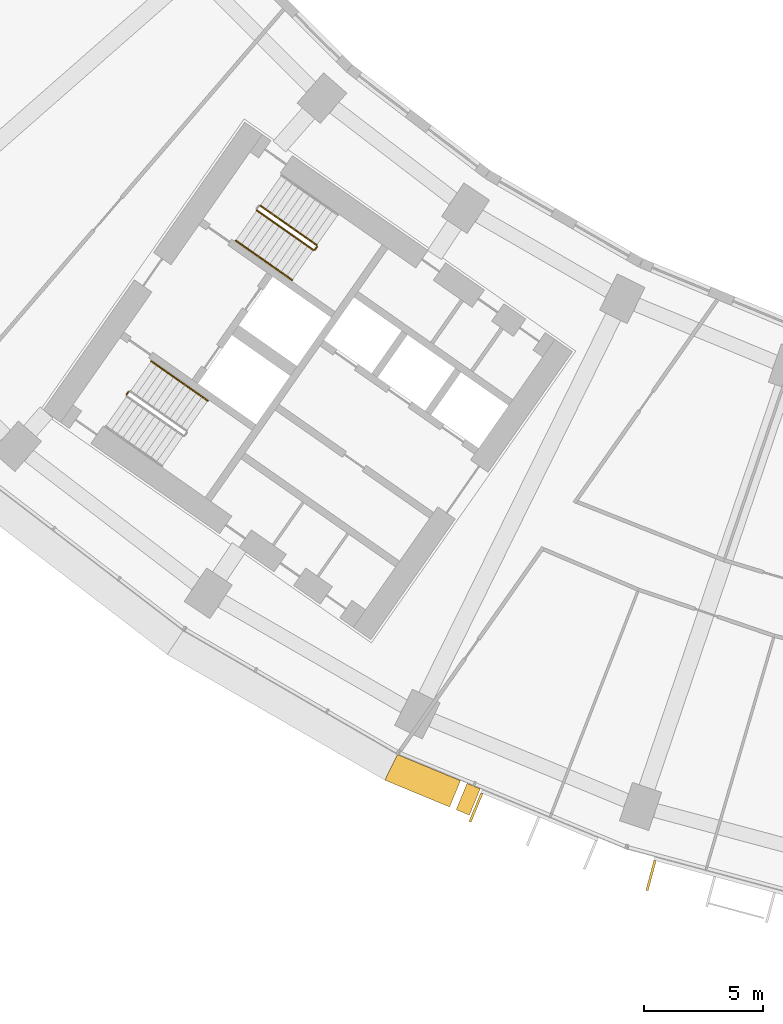
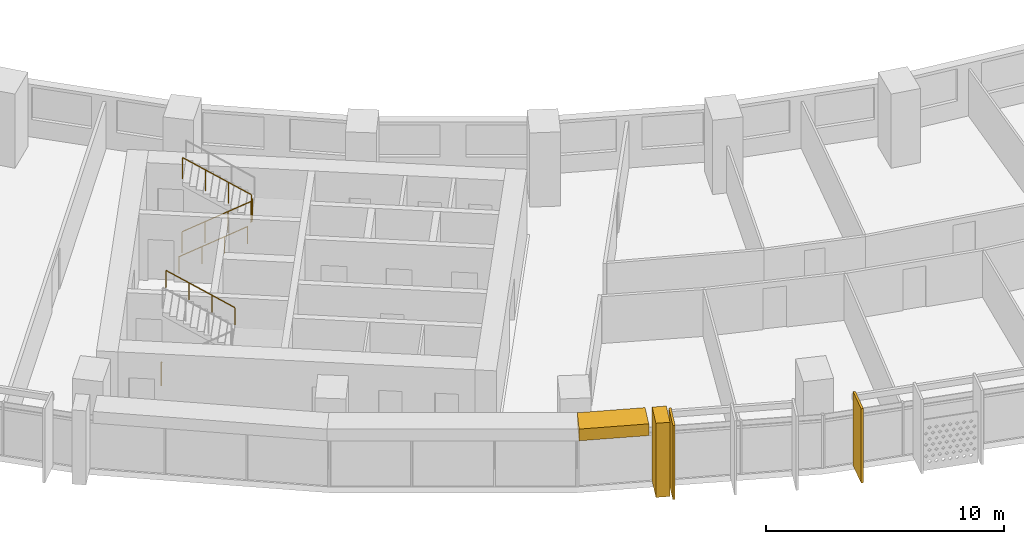
# One storey, part 25 of 31: 5 railings, 4 shading devices.
"""IFC4 building model written with IfcOpenShell, lengths in metres."""

from ifc_helpers import new_model, si_unit, direction, frame, origin, origin_2d, place, context, subcontext, project, spatial, polyline, rectangle, circle, outline, extrude, material, material_profile, profile_set, type_object, element, save


model = new_model("IFC4")

# Units and contexts
model_context = context("Model", 3, precision=1e-05, world=origin(), true_north=direction((0.0, 1.0)))
body_context = subcontext(model_context, "Body", "Model", "MODEL_VIEW")
ifc_project = project(units=[si_unit("LENGTHUNIT", "METRE"), si_unit("AREAUNIT", "SQUARE_METRE"), si_unit("VOLUMEUNIT", "CUBIC_METRE"), si_unit("PLANEANGLEUNIT", "RADIAN"), si_unit("MASSUNIT", "GRAM", prefix="KILO")], contexts=[model_context])

# Site, building, storey
site_placement = place(None, origin())
site = spatial("IfcSite", under=ifc_project, at=site_placement, CompositionType="ELEMENT")
building_placement = place(site_placement, origin())
building = spatial("IfcBuilding", under=site, at=building_placement, Name="Qamariyya Broadcast Tower", CompositionType="ELEMENT")
storey_placement = place(building_placement, frame((0.0, 0.0, 86.10009765625)))
storey = spatial("IfcBuildingStorey", under=building, at=storey_placement, Name="L18", CompositionType="ELEMENT", Elevation=86.10009765625)

# Shading devices
ifc_material_1 = material(Name="Steel S355 powder coated deep red", Category="steel")
shading_device_type_1 = type_object("IfcShadingDeviceType", Name="Deep red frame, powder coated steel box section", PredefinedType="USERDEFINED", material=ifc_material_1)
shading_device_1_placement = place(storey_placement, origin())
element("IfcShadingDevice", 1, at=shading_device_1_placement, inside=storey, type_object=shading_device_type_1, Name="e-frm-B1-F2-postb-L18", ObjectType="FRAME", PredefinedType="USERDEFINED", context=body_context, shape_type="SweptSolid", body=[
    extrude(outline(polyline([(-32.296875, -72.650146484375), (-32.756103515625, -73.7587890625), (-32.201904296875, -73.98828125), (-31.74267578125, -72.879638671875), (-32.296875, -72.650146484375)])), origin(), (0.0, 0.0, 1.0), 3.7998046875),
])
shading_device_2_placement = place(storey_placement, frame((0.0, 0.0, 3.199951171875)))
element("IfcShadingDevice", 2, at=shading_device_2_placement, inside=storey, type_object=shading_device_type_1, Name="e-frm-B1-F2-top2", ObjectType="FRAME", PredefinedType="USERDEFINED", context=body_context, shape_type="SweptSolid", body=[
    extrude(outline(polyline([(-35.228271484375, -71.43603515625), (-35.76025390625, -72.514404296875), (-33.033203125, -73.64404296875), (-32.573974609375, -72.535400390625), (-35.228271484375, -71.43603515625)])), origin(), (0.0, 0.0, 1.0), 0.599853515625),
])

# Railings
ifc_material_2 = material(Name="Painted steel", Category="steel")
railing_type_1 = type_object("IfcRailingType", Name="Stair guard", PredefinedType="GUARDRAIL", material=ifc_material_2)
railing_1_placement = place(storey_placement, frame((-41.146728515625, -48.52490234375, 0.172607421875)))
element("IfcRailing", 3, at=railing_1_placement, inside=storey, type_object=railing_type_1, Name="L18 ST-W2 stair guard 1", PredefinedType="GUARDRAIL", context=body_context, shape_type="SweptSolid", body=[
    extrude(circle(Radius=0.02392578125, at=origin_2d()), frame((0.0, 0.0, 1.076171875), z_axis=(0.703770094002, -0.492783725636, 0.511734163933), x_axis=(0.573575343427, 0.819152809562, 0.0)), (0.0, 0.0, 1.0), 3.37548828125),
    extrude(circle(Radius=0.02392578125, at=origin_2d()), frame((2.37548828125, -1.663330078125, 2.80322265625), z_axis=(0.985059694769, 0.172213233351, 0.0), x_axis=(-0.172213233351, 0.985059694769, 0.0)), (0.0, 0.0, 1.0), 0.07080078125),
    extrude(circle(Radius=0.02392578125, at=origin_2d()), frame((2.4453125, -1.651123046875, 2.80322265625), z_axis=(0.572588637393, 0.819842821722, 0.0), x_axis=(-0.819842821722, 0.572588637393, 0.0)), (0.0, 0.0, 1.0), 0.150146484375),
    extrude(circle(Radius=0.02099609375, at=origin_2d()), origin(), (0.0, 0.0, 1.0), 1.052001953125),
    extrude(circle(Radius=0.02099609375, at=origin_2d()), frame((0.791748046875, -0.554443359375, 0.57568359375)), (0.0, 0.0, 1.0), 1.052001953125),
    extrude(circle(Radius=0.02099609375, at=origin_2d()), frame((1.583740234375, -1.10888671875, 1.151611328125)), (0.0, 0.0, 1.0), 1.052001953125),
    extrude(circle(Radius=0.02099609375, at=origin_2d()), frame((2.37548828125, -1.663330078125, 1.727294921875)), (0.0, 0.0, 1.0), 1.052001953125),
    extrude(circle(Radius=0.02099609375, at=origin_2d()), frame((2.4453125, -1.651123046875, 1.727294921875)), (0.0, 0.0, 1.0), 1.052001953125),
    extrude(circle(Radius=0.02099609375, at=origin_2d()), frame((2.53125, -1.528076171875, 1.727294921875)), (0.0, 0.0, 1.0), 1.052001953125),
])
railing_2_placement = place(storey_placement, frame((-38.627685546875, -49.9833984375, 2.072509765625)))
element("IfcRailing", 4, at=railing_2_placement, inside=storey, type_object=railing_type_1, Name="L18 ST-W2 stair guard 2", PredefinedType="GUARDRAIL", context=body_context, shape_type="SweptSolid", body=[
    extrude(circle(Radius=0.02392578125, at=origin_2d()), frame((0.0, 0.0, 1.076171875), z_axis=(-0.703770094002, 0.492783725636, 0.511734163933), x_axis=(-0.573575343427, -0.819152809562, 0.0)), (0.0, 0.0, 1.0), 3.37548828125),
    extrude(circle(Radius=0.02099609375, at=origin_2d()), origin(), (0.0, 0.0, 1.0), 1.052001953125),
    extrude(circle(Radius=0.02099609375, at=origin_2d()), frame((-0.791748046875, 0.554443359375, 0.57568359375)), (0.0, 0.0, 1.0), 1.052001953125),
    extrude(circle(Radius=0.02099609375, at=origin_2d()), frame((-1.583740234375, 1.10888671875, 1.151611328125)), (0.0, 0.0, 1.0), 1.052001953125),
    extrude(circle(Radius=0.02099609375, at=origin_2d()), frame((-2.37548828125, 1.663330078125, 1.727294921875)), (0.0, 0.0, 1.0), 1.052001953125),
])
railing_3_placement = place(storey_placement, frame((-46.63671875, -56.278076171875, 0.0)))
element("IfcRailing", 5, at=railing_3_placement, inside=storey, type_object=railing_type_1, Name="L18 ST-W1 stair guard 3", PredefinedType="GUARDRAIL", context=body_context, shape_type="SweptSolid", body=[
    extrude(circle(Radius=0.02392578125, at=origin_2d()), frame((0.0, 0.0, 1.076171875), z_axis=(0.574444878118, 0.818543268254, 0.0), x_axis=(-0.818543268254, 0.574444878118, 0.0)), (0.0, 0.0, 1.0), 0.150146484375),
    extrude(circle(Radius=0.02099609375, at=origin_2d()), origin(), (0.0, 0.0, 1.0), 1.052001953125),
    extrude(circle(Radius=0.02099609375, at=origin_2d()), frame((0.086181640625, 0.122802734375, 0.0)), (0.0, 0.0, 1.0), 1.052001953125),
])
ifc_material_3 = material(Name="Stainless steel", Category="steel")
railing_type_2 = type_object("IfcRailingType", Name="Stair handrail", PredefinedType="HANDRAIL", material=ifc_material_3)
railing_4_placement = place(storey_placement, frame((-42.03564453125, -49.79443359375, 0.172607421875)))
element("IfcRailing", 6, at=railing_4_placement, inside=storey, type_object=railing_type_2, Name="L18 ST-W2 stair handrail 1", PredefinedType="HANDRAIL", context=body_context, shape_type="SweptSolid", body=[
    extrude(circle(Radius=0.02392578125, at=origin_2d()), frame((0.0, 0.0, 0.8759765625), z_axis=(0.703745009021, -0.492838488332, 0.511715923826), x_axis=(0.573631830683, 0.819113253969, 0.0)), (0.0, 0.0, 1.0), 3.37548828125),
    extrude(circle(Radius=0.02099609375, at=origin_2d()), origin(), (0.0, 0.0, 1.0), 0.851806640625),
    extrude(circle(Radius=0.02099609375, at=origin_2d()), frame((0.791748046875, -0.554443359375, 0.57568359375)), (0.0, 0.0, 1.0), 0.851806640625),
    extrude(circle(Radius=0.02099609375, at=origin_2d()), frame((1.583740234375, -1.109130859375, 1.151611328125)), (0.0, 0.0, 1.0), 0.851806640625),
    extrude(circle(Radius=0.02099609375, at=origin_2d()), frame((2.37548828125, -1.66357421875, 1.727294921875)), (0.0, 0.0, 1.0), 0.851806640625),
])
railing_5_placement = place(storey_placement, frame((-43.21630859375, -56.53662109375, 2.072509765625)))
element("IfcRailing", 7, at=railing_5_placement, inside=storey, type_object=railing_type_2, Name="L18 ST-W1 stair handrail 2", PredefinedType="HANDRAIL", context=body_context, shape_type="SweptSolid", body=[
    extrude(circle(Radius=0.02392578125, at=origin_2d()), frame((0.0, 0.0, 0.8759765625), z_axis=(-0.703770094002, 0.492783725636, 0.511734163933), x_axis=(-0.573575343427, -0.819152809562, 0.0)), (0.0, 0.0, 1.0), 3.37548828125),
    extrude(circle(Radius=0.02099609375, at=origin_2d()), origin(), (0.0, 0.0, 1.0), 0.851806640625),
    extrude(circle(Radius=0.02099609375, at=origin_2d()), frame((-0.791748046875, 0.554443359375, 0.57568359375)), (0.0, 0.0, 1.0), 0.851806640625),
    extrude(circle(Radius=0.02099609375, at=origin_2d()), frame((-1.583740234375, 1.10888671875, 1.151611328125)), (0.0, 0.0, 1.0), 0.851806640625),
    extrude(circle(Radius=0.02099609375, at=origin_2d()), frame((-2.37548828125, 1.663330078125, 1.727294921875)), (0.0, 0.0, 1.0), 0.851806640625),
])

# Shading devices
ifc_material_4 = material(Name="Glazed terracotta", Category="masonry")
ifc_material_profile = material_profile(ifc_material_4, rectangle(XDim=1.300048828125, YDim=0.10009765625, at=origin_2d()))
ifc_profile_set = profile_set([ifc_material_profile], Name="Glazed terracotta")
shading_device_type_2 = type_object("IfcShadingDeviceType", Name="Terracotta fin 100 x 1300", PredefinedType="USERDEFINED", material=ifc_profile_set)
for number, where, z_axis, x_axis, name in (
    (8, (-31.9248046875, -73.670166015625, 0.0), (0.0, 0.0, 1.0), (-0.382683432365, -0.923879532511, 0.0), "e-fin-L18-05-1"),
    (9, (-24.5517578125, -76.53271484375, 0.0), (0.0, 0.0, 1.0), (-0.258819045103, -0.965925826289, 0.0), "e-fin-L18-06-0"),
):
    element("IfcShadingDevice", number, at=place(storey_placement, frame(where, z_axis=z_axis, x_axis=x_axis)), inside=storey, type_object=shading_device_type_2, Name=name, ObjectType="FIN", PredefinedType="USERDEFINED", context=body_context, shape_type="SweptSolid", body=[
        extrude(rectangle(XDim=1.300048828125, YDim=0.10009765625, at=origin_2d()), origin(), (0.0, 0.0, 1.0), 3.7998046875),
    ])

save(model, "model.ifc")
